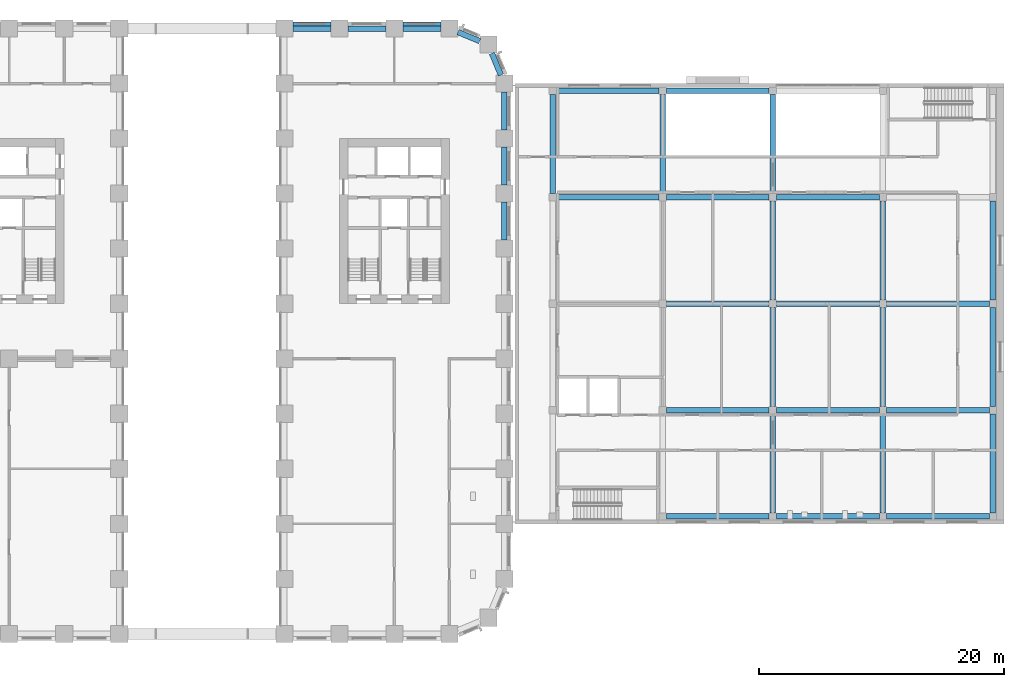
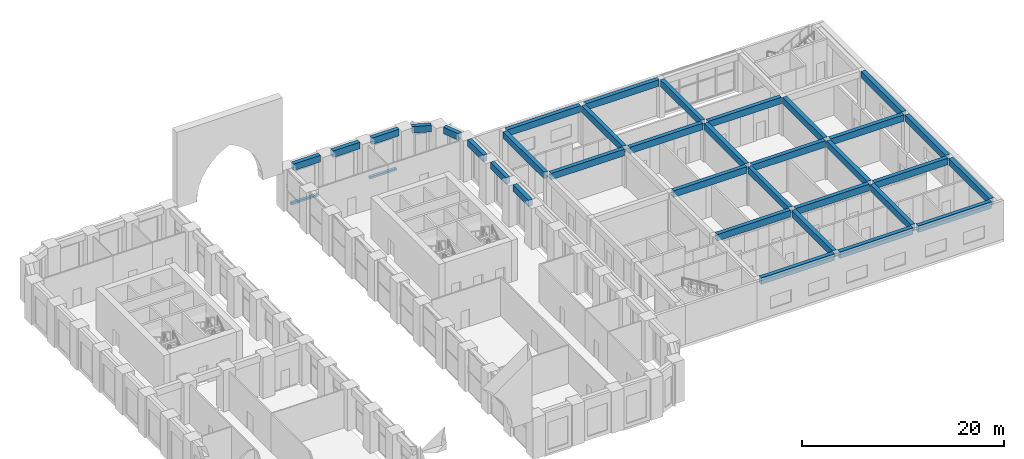
# One storey, part 6 of 25: 36 beams.
"""IFC4 building model written with IfcOpenShell, lengths in metres."""

from ifc_helpers import new_model, si_unit, direction, frame, origin, origin_2d, place, context, subcontext, project, spatial, rectangle, extrude, material, material_profile, profile_set, type_object, element, save


model = new_model("IFC4")

# Units and contexts
model_context = context("Model", 3, precision=1e-05, world=origin(), true_north=direction((0.0, 1.0)))
body_context = subcontext(model_context, "Body", "Model", "MODEL_VIEW")
ifc_project = project(units=[si_unit("LENGTHUNIT", "METRE"), si_unit("AREAUNIT", "SQUARE_METRE"), si_unit("VOLUMEUNIT", "CUBIC_METRE"), si_unit("PLANEANGLEUNIT", "RADIAN"), si_unit("MASSUNIT", "GRAM", prefix="KILO")], contexts=[model_context])

# Site, building, storey
site_placement = place(None, origin())
site = spatial("IfcSite", under=ifc_project, at=site_placement, CompositionType="ELEMENT")
building_placement = place(site_placement, origin())
building = spatial("IfcBuilding", under=site, at=building_placement, Name="Girih Gate Residences", CompositionType="ELEMENT")
storey_placement = place(building_placement, frame((0.0, 0.0, 6.0)))
storey = spatial("IfcBuildingStorey", under=building, at=storey_placement, Name="L01", CompositionType="ELEMENT", Elevation=6.0)

# Beams
ifc_material_1 = material(Name="Concrete C50/60", Category="concrete")
ifc_material_profile_1 = material_profile(ifc_material_1, rectangle(XDim=0.300048828125, YDim=0.25, at=origin_2d()))
ifc_profile_set_1 = profile_set([ifc_material_profile_1], Name="Concrete C50/60")
beam_type_1 = type_object("IfcBeamType", Name="Facade ledge RC 300x250 Concrete C50/60", PredefinedType="BEAM", material=ifc_profile_set_1)
for number, where, z_axis, x_axis, name in (
    (1, (44.300048828125, 49.875, -0.125), (-1.0, 0.0, 0.0), (0.0, -1.0, 0.0), "Facade ledge N0450_0495.0 L01"),
    (2, (35.300048828125, 49.875, -0.125), (-1.0, 0.0, 0.0), (0.0, -1.0, 0.0), "Facade ledge N0450_0495.2 L01"),
):
    element("IfcBeam", number, at=place(storey_placement, frame(where, z_axis=z_axis, x_axis=x_axis)), inside=storey, type_object=beam_type_1, Name=name, PredefinedType="BEAM", context=body_context, shape_type="SweptSolid", body=[
        extrude(rectangle(XDim=0.300048828125, YDim=0.25, at=origin_2d()), origin(), (0.0, 0.0, 1.0), 3.10009765625),
    ])
ifc_material_2 = material(Name="Concrete C40/50", Category="concrete")
ifc_material_profile_2 = material_profile(ifc_material_2, rectangle(XDim=0.449951171875, YDim=0.800048828125, at=origin_2d()))
ifc_profile_set_2 = profile_set([ifc_material_profile_2], Name="Concrete C40/50")
beam_type_2 = type_object("IfcBeamType", Name="HC Beam 450x800 C40/50", PredefinedType="BEAM", material=ifc_profile_set_2)
for number, where, z_axis, x_axis, name in (
    (3, (62.75, 9.60009765625, 4.300048828125), (1.0, 0.0, 0.0), (0.0, 1.0, 0.0), "L01 beam HA.2"),
    (4, (71.75, 9.60009765625, 4.300048828125), (1.0, 0.0, 0.0), (0.0, 1.0, 0.0), "L01 beam HA.3"),
    (5, (80.75, 9.60009765625, 4.300048828125), (1.0, 0.0, 0.0), (0.0, 1.0, 0.0), "L01 beam HA.4"),
    (6, (62.75, 18.300048828125, 4.300048828125), (1.0, 0.0, 0.0), (0.0, 1.0, 0.0), "L01 beam HB.2"),
    (7, (71.75, 18.300048828125, 4.300048828125), (1.0, 0.0, 0.0), (0.0, 1.0, 0.0), "L01 beam HB.3"),
    (8, (80.75, 18.300048828125, 4.300048828125), (1.0, 0.0, 0.0), (0.0, 1.0, 0.0), "L01 beam HB.4"),
    (9, (62.75, 27.0, 4.300048828125), (1.0, 0.0, 0.0), (0.0, 1.0, 0.0), "L01 beam HC.2"),
    (10, (71.75, 27.0, 4.300048828125), (1.0, 0.0, 0.0), (0.0, 1.0, 0.0), "L01 beam HC.3"),
    (11, (80.75, 27.0, 4.300048828125), (1.0, 0.0, 0.0), (0.0, 1.0, 0.0), "L01 beam HC.4"),
    (12, (53.75, 35.699951171875, 4.300048828125), (1.0, 0.0, 0.0), (0.0, 1.0, 0.0), "L01 beam HD.1"),
    (13, (62.75, 35.699951171875, 4.300048828125), (1.0, 0.0, 0.0), (0.0, 1.0, 0.0), "L01 beam HD.2"),
    (14, (71.75, 35.699951171875, 4.300048828125), (1.0, 0.0, 0.0), (0.0, 1.0, 0.0), "L01 beam HD.3"),
    (15, (53.75, 44.39990234375, 4.300048828125), (1.0, 0.0, 0.0), (0.0, 1.0, 0.0), "L01 beam HE.1"),
    (16, (62.75, 44.39990234375, 4.300048828125), (1.0, 0.0, 0.0), (0.0, 1.0, 0.0), "L01 beam HE.2"),
):
    element("IfcBeam", number, at=place(storey_placement, frame(where, z_axis=z_axis, x_axis=x_axis)), inside=storey, type_object=beam_type_2, Name=name, PredefinedType="BEAM", context=body_context, shape_type="SweptSolid", body=[
        extrude(rectangle(XDim=0.449951171875, YDim=0.800048828125, at=origin_2d()), origin(), (0.0, 0.0, 1.0), 8.39990234375),
    ])
for number, where, z_axis, x_axis, name in (
    (17, (53.449951171875, 36.0, 4.300048828125), (0.0, 1.0, 0.0), (-1.0, 0.0, 0.0), "L01 beam H1.4"),
    (18, (62.449951171875, 36.0, 4.300048828125), (0.0, 1.0, 0.0), (-1.0, 0.0, 0.0), "L01 beam H2.4"),
    (19, (71.449951171875, 9.89990234375, 4.300048828125), (0.0, 1.0, 0.0), (-1.0, 0.0, 0.0), "L01 beam H3.1"),
):
    element("IfcBeam", number, at=place(storey_placement, frame(where, z_axis=z_axis, x_axis=x_axis)), inside=storey, type_object=beam_type_2, Name=name, PredefinedType="BEAM", context=body_context, shape_type="SweptSolid", body=[
        extrude(rectangle(XDim=0.449951171875, YDim=0.800048828125, at=origin_2d()), origin(), (0.0, 0.0, 1.0), 8.10009765625),
    ])
for number, where, z_axis, x_axis, name in (
    (20, (71.449951171875, 18.60009765625, 4.300048828125), (0.0, 1.0, 0.0), (-1.0, 0.0, 0.0), "L01 beam H3.2"),
    (21, (71.449951171875, 27.300048828125, 4.300048828125), (0.0, 1.0, 0.0), (-1.0, 0.0, 0.0), "L01 beam H3.3"),
):
    element("IfcBeam", number, at=place(storey_placement, frame(where, z_axis=z_axis, x_axis=x_axis)), inside=storey, type_object=beam_type_2, Name=name, PredefinedType="BEAM", context=body_context, shape_type="SweptSolid", body=[
        extrude(rectangle(XDim=0.449951171875, YDim=0.800048828125, at=origin_2d()), origin(), (0.0, 0.0, 1.0), 8.099853515625),
    ])
for number, where, z_axis, x_axis, name in (
    (22, (71.449951171875, 36.0, 4.300048828125), (0.0, 1.0, 0.0), (-1.0, 0.0, 0.0), "L01 beam H3.4"),
    (23, (80.449951171875, 9.89990234375, 4.300048828125), (0.0, 1.0, 0.0), (-1.0, 0.0, 0.0), "L01 beam H4.1"),
):
    element("IfcBeam", number, at=place(storey_placement, frame(where, z_axis=z_axis, x_axis=x_axis)), inside=storey, type_object=beam_type_2, Name=name, PredefinedType="BEAM", context=body_context, shape_type="SweptSolid", body=[
        extrude(rectangle(XDim=0.449951171875, YDim=0.800048828125, at=origin_2d()), origin(), (0.0, 0.0, 1.0), 8.10009765625),
    ])
for number, where, z_axis, x_axis, name in (
    (24, (80.449951171875, 18.60009765625, 4.300048828125), (0.0, 1.0, 0.0), (-1.0, 0.0, 0.0), "L01 beam H4.2"),
    (25, (80.449951171875, 27.300048828125, 4.300048828125), (0.0, 1.0, 0.0), (-1.0, 0.0, 0.0), "L01 beam H4.3"),
):
    element("IfcBeam", number, at=place(storey_placement, frame(where, z_axis=z_axis, x_axis=x_axis)), inside=storey, type_object=beam_type_2, Name=name, PredefinedType="BEAM", context=body_context, shape_type="SweptSolid", body=[
        extrude(rectangle(XDim=0.449951171875, YDim=0.800048828125, at=origin_2d()), origin(), (0.0, 0.0, 1.0), 8.099853515625),
    ])
beam_placement = place(storey_placement, frame((89.449951171875, 9.89990234375, 4.300048828125), z_axis=(0.0, 1.0, 0.0), x_axis=(-1.0, 0.0, 0.0)))
element("IfcBeam", 26, at=beam_placement, inside=storey, type_object=beam_type_2, Name="L01 beam H5.1", PredefinedType="BEAM", context=body_context, shape_type="SweptSolid", body=[
    extrude(rectangle(XDim=0.449951171875, YDim=0.800048828125, at=origin_2d()), origin(), (0.0, 0.0, 1.0), 8.10009765625),
])
for number, where, z_axis, x_axis, name in (
    (27, (89.449951171875, 18.60009765625, 4.300048828125), (0.0, 1.0, 0.0), (-1.0, 0.0, 0.0), "L01 beam H5.2"),
    (28, (89.449951171875, 27.300048828125, 4.300048828125), (0.0, 1.0, 0.0), (-1.0, 0.0, 0.0), "L01 beam H5.3"),
):
    element("IfcBeam", number, at=place(storey_placement, frame(where, z_axis=z_axis, x_axis=x_axis)), inside=storey, type_object=beam_type_2, Name=name, PredefinedType="BEAM", context=body_context, shape_type="SweptSolid", body=[
        extrude(rectangle(XDim=0.449951171875, YDim=0.800048828125, at=origin_2d()), origin(), (0.0, 0.0, 1.0), 8.099853515625),
    ])
ifc_material_3 = material(Name="Concrete C60/75", Category="concrete")
ifc_material_profile_3 = material_profile(ifc_material_3, rectangle(XDim=0.449951171875, YDim=0.800048828125, at=origin_2d()))
ifc_profile_set_3 = profile_set([ifc_material_profile_3], Name="Concrete C60/75")
beam_type_3 = type_object("IfcBeamType", Name="Spandrel girder RC 450x800 Concrete C60/75", PredefinedType="BEAM", material=ifc_profile_set_3)
for number, where, z_axis, x_axis, name in (
    (29, (49.5, 32.199951171875, 4.60009765625), (0.0, 1.0, 0.0), (-1.0, 0.0, 0.0), "Spandrel girder SP-P12H-P12I L01"),
    (30, (49.5, 36.699951171875, 4.60009765625), (0.0, 1.0, 0.0), (-1.0, 0.0, 0.0), "Spandrel girder SP-P12I-P12J L01"),
    (31, (49.5, 41.199951171875, 4.60009765625), (0.0, 1.0, 0.0), (-1.0, 0.0, 0.0), "Spandrel girder SP-P12J-P12K L01"),
):
    element("IfcBeam", number, at=place(storey_placement, frame(where, z_axis=z_axis, x_axis=x_axis)), inside=storey, type_object=beam_type_3, Name=name, PredefinedType="BEAM", context=body_context, shape_type="SweptSolid", body=[
        extrude(rectangle(XDim=0.449951171875, YDim=0.800048828125, at=origin_2d()), origin(), (0.0, 0.0, 1.0), 3.10009765625),
    ])
for number, where, z_axis, x_axis, name in (
    (32, (49.2099609375, 45.699951171875, 4.60009765625), (-0.382646180293, 0.923894961945, 0.0), (-0.923894961945, -0.382646180293, 0.0), "Spandrel girder SP-P12K-P12LSW L01"),
    (33, (47.48193359375, 48.471923828125, 4.60009765625), (-0.923894961945, 0.382646180293, 0.0), (-0.382646180293, -0.923894961945, 0.0), "Spandrel girder SP-P12LSW-P11L L01"),
):
    element("IfcBeam", number, at=place(storey_placement, frame(where, z_axis=z_axis, x_axis=x_axis)), inside=storey, type_object=beam_type_3, Name=name, PredefinedType="BEAM", context=body_context, shape_type="SweptSolid", body=[
        extrude(rectangle(XDim=0.449951171875, YDim=0.800048828125, at=origin_2d()), origin(), (0.0, 0.0, 1.0), 1.9287109375),
    ])
for number, where, z_axis, x_axis, name in (
    (34, (44.300048828125, 49.5, 4.60009765625), (-1.0, 0.0, 0.0), (0.0, -1.0, 0.0), "Spandrel girder SP-P11L-P10L L01"),
    (35, (39.800048828125, 49.5, 4.60009765625), (-1.0, 0.0, 0.0), (0.0, -1.0, 0.0), "Spandrel girder SP-P10L-P9L L01"),
    (36, (35.300048828125, 49.5, 4.60009765625), (-1.0, 0.0, 0.0), (0.0, -1.0, 0.0), "Spandrel girder SP-P9L-P8L L01"),
):
    element("IfcBeam", number, at=place(storey_placement, frame(where, z_axis=z_axis, x_axis=x_axis)), inside=storey, type_object=beam_type_3, Name=name, PredefinedType="BEAM", context=body_context, shape_type="SweptSolid", body=[
        extrude(rectangle(XDim=0.449951171875, YDim=0.800048828125, at=origin_2d()), origin(), (0.0, 0.0, 1.0), 3.10009765625),
    ])

save(model, "model.ifc")
